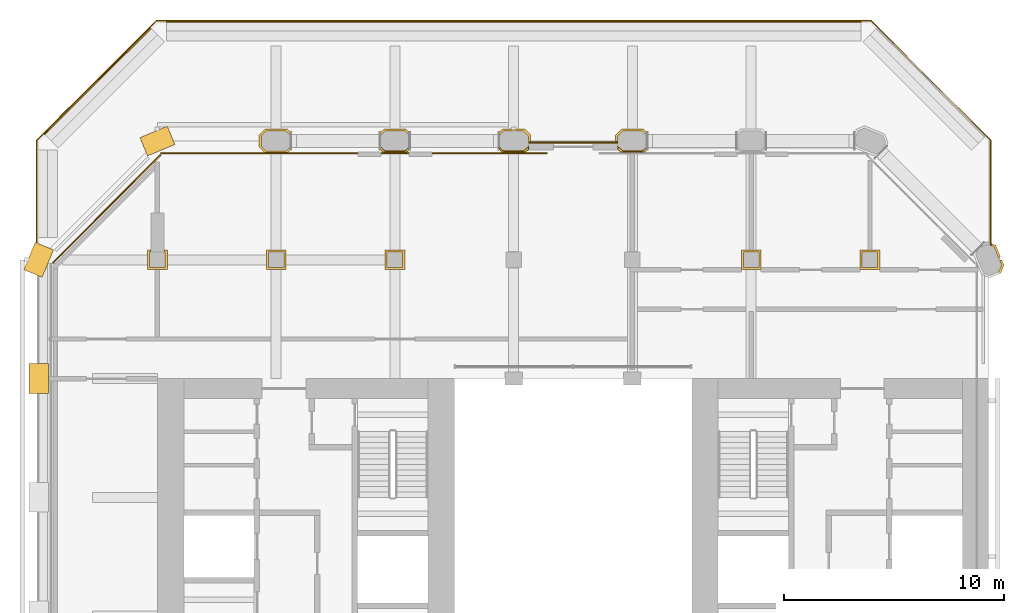
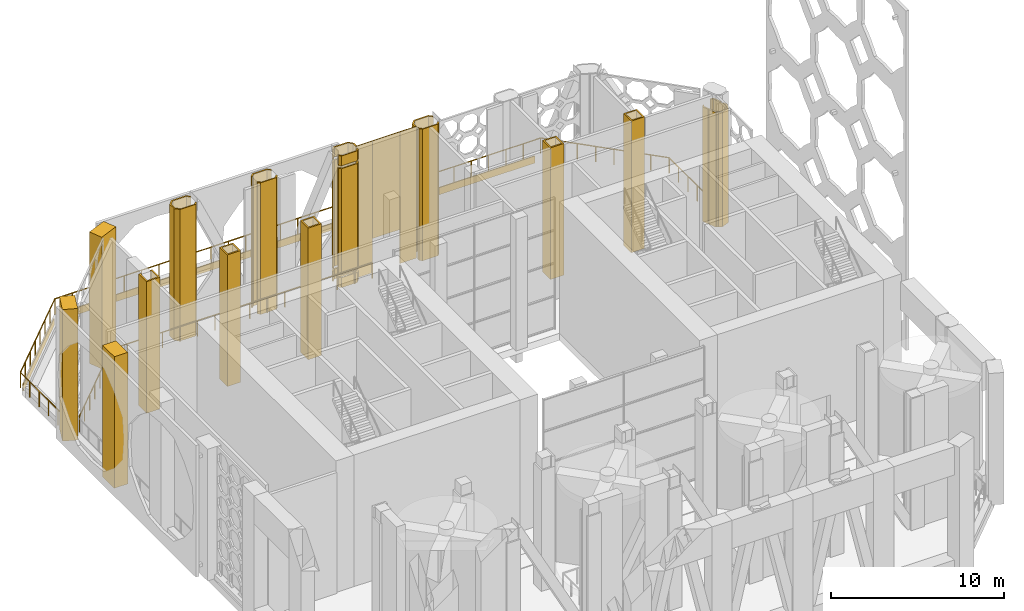
# One storey, part 26 of 28: 25 coverings, 3 railings.
"""IFC4 building model written with IfcOpenShell, lengths in metres."""

from ifc_helpers import new_model, si_unit, direction, frame, frame_2d, origin, origin_2d, place, context, subcontext, project, spatial, polyline, rectangle, circle, outline, extrude, material, layer, layer_set, type_object, element, save


model = new_model("IFC4")

# Units and contexts
model_context = context("Model", 3, precision=1e-05, world=origin(), true_north=direction((0.0, 1.0)))
body_context = subcontext(model_context, "Body", "Model", "MODEL_VIEW")
ifc_project = project(units=[si_unit("LENGTHUNIT", "METRE"), si_unit("AREAUNIT", "SQUARE_METRE"), si_unit("VOLUMEUNIT", "CUBIC_METRE"), si_unit("PLANEANGLEUNIT", "RADIAN"), si_unit("MASSUNIT", "GRAM", prefix="KILO")], contexts=[model_context])

# Site, building, storey
site_placement = place(None, origin())
site = spatial("IfcSite", under=ifc_project, at=site_placement, CompositionType="ELEMENT")
building_placement = place(site_placement, origin())
building = spatial("IfcBuilding", under=site, at=building_placement, Name="Tabaq Tower and Sports Hall", CompositionType="ELEMENT")
storey_placement = place(building_placement, frame((0.0, 0.0, 233.5)))
storey = spatial("IfcBuildingStorey", under=building, at=storey_placement, Name="L59", CompositionType="ELEMENT", Elevation=233.5)

# Coverings
ifc_material_1 = material(Name="Precast concrete C60/75", Category="concrete")
ifc_layer_1 = layer(ifc_material_1, 0.10009765625)
ifc_layer_set_1 = layer_set([ifc_layer_1], Name="Column cladding 100")
covering_type_1 = type_object("IfcCoveringType", Name="Column cladding 100", PredefinedType="CLADDING", material=ifc_layer_set_1)
covering_1_placement = place(storey_placement, origin())
element("IfcCovering", 1, at=covering_1_placement, inside=storey, type_object=covering_type_1, Name="Column cladding L59 CC-2H-S2", PredefinedType="CLADDING", context=body_context, shape_type="SweptSolid", body=[
    extrude(outline(polyline([(5.099609375, 38.249755859375), (5.099609375, 38.150390625), (5.0498046875, 38.150390625), (5.0498046875, 37.44970703125), (5.750244140625, 37.44970703125), (5.750244140625, 38.150390625), (5.7001953125, 38.150390625), (5.7001953125, 38.249755859375), (5.849609375, 38.249755859375), (5.849609375, 37.350341796875), (4.9501953125, 37.350341796875), (4.9501953125, 38.249755859375), (5.099609375, 38.249755859375)])), origin(), (0.0, 0.0, 1.0), 9.300048828125),
])
covering_2_placement = place(storey_placement, origin())
element("IfcCovering", 2, at=covering_2_placement, inside=storey, type_object=covering_type_1, Name="Column cladding L59 CC-3H-S2", PredefinedType="CLADDING", context=body_context, shape_type="SweptSolid", body=[
    extrude(outline(polyline([(10.350341796875, 38.249755859375), (11.249755859375, 38.249755859375), (11.249755859375, 37.350341796875), (10.350341796875, 37.350341796875), (10.350341796875, 38.249755859375)]), holes=[polyline([(11.150390625, 37.44970703125), (11.150390625, 38.150390625), (10.44970703125, 38.150390625), (10.44970703125, 37.44970703125), (11.150390625, 37.44970703125)])]), origin(), (0.0, 0.0, 1.0), 9.300048828125),
])
covering_3_placement = place(storey_placement, origin())
element("IfcCovering", 3, at=covering_3_placement, inside=storey, type_object=covering_type_1, Name="Column cladding L59 PC-3I-S2", PredefinedType="CLADDING", context=body_context, shape_type="SweptSolid", body=[
    extrude(outline(polyline([(10.025390625, 43.46630859375), (10.30859375, 43.749755859375), (11.291259765625, 43.749755859375), (11.459716796875, 43.581298828125), (11.459716796875, 43.500244140625), (11.444580078125, 43.500244140625), (11.444580078125, 43.455810546875), (11.250244140625, 43.650390625), (10.349853515625, 43.650390625), (10.124755859375, 43.425048828125), (10.124755859375, 42.974853515625), (10.349853515625, 42.749755859375), (11.250244140625, 42.749755859375), (11.444580078125, 42.9443359375), (11.444580078125, 42.899658203125), (11.459716796875, 42.899658203125), (11.459716796875, 42.818603515625), (11.331298828125, 42.690185546875), (10.268798828125, 42.690185546875), (10.025390625, 42.93359375), (10.025390625, 43.46630859375)])), origin(), (0.0, 0.0, 1.0), 9.300048828125),
])
covering_4_placement = place(storey_placement, origin())
element("IfcCovering", 4, at=covering_4_placement, inside=storey, type_object=covering_type_1, Name="Column cladding L59 CC-4H-S2", PredefinedType="CLADDING", context=body_context, shape_type="SweptSolid", body=[
    extrude(outline(polyline([(15.750244140625, 38.249755859375), (16.649658203125, 38.249755859375), (16.649658203125, 37.350341796875), (15.750244140625, 37.350341796875), (15.750244140625, 38.249755859375)]), holes=[polyline([(16.55029296875, 37.44970703125), (16.55029296875, 38.150390625), (15.849609375, 38.150390625), (15.849609375, 37.44970703125), (16.55029296875, 37.44970703125)])]), origin(), (0.0, 0.0, 1.0), 9.300048828125),
])
covering_5_placement = place(storey_placement, origin())
element("IfcCovering", 5, at=covering_5_placement, inside=storey, type_object=covering_type_1, Name="Column cladding L59 PC-4I-S2", PredefinedType="CLADDING", context=body_context, shape_type="SweptSolid", body=[
    extrude(outline(polyline([(15.708740234375, 43.749755859375), (16.69140625, 43.749755859375), (16.859619140625, 43.581298828125), (16.859619140625, 43.500244140625), (16.8447265625, 43.500244140625), (16.8447265625, 43.455810546875), (16.650146484375, 43.650390625), (15.749755859375, 43.650390625), (15.555419921875, 43.455810546875), (15.555419921875, 43.500244140625), (15.540283203125, 43.500244140625), (15.540283203125, 43.581298828125), (15.708740234375, 43.749755859375)])), origin(), (0.0, 0.0, 1.0), 9.300048828125),
])
covering_6_placement = place(storey_placement, origin())
element("IfcCovering", 6, at=covering_6_placement, inside=storey, type_object=covering_type_1, Name="Column cladding L59 PC-4I-S2 2", PredefinedType="CLADDING", context=body_context, shape_type="SweptSolid", body=[
    extrude(outline(polyline([(16.731201171875, 42.690185546875), (15.668701171875, 42.690185546875), (15.540283203125, 42.818603515625), (15.540283203125, 42.899658203125), (15.555419921875, 42.899658203125), (15.555419921875, 42.9443359375), (15.749755859375, 42.749755859375), (16.650146484375, 42.749755859375), (16.8447265625, 42.9443359375), (16.8447265625, 42.899658203125), (16.859619140625, 42.899658203125), (16.859619140625, 42.818603515625), (16.731201171875, 42.690185546875)])), origin(), (0.0, 0.0, 1.0), 9.300048828125),
])
covering_7_placement = place(storey_placement, origin())
element("IfcCovering", 7, at=covering_7_placement, inside=storey, type_object=covering_type_1, Name="Column cladding L59 PC-5I-S2", PredefinedType="CLADDING", context=body_context, shape_type="SweptSolid", body=[
    extrude(outline(polyline([(21.108642578125, 43.749755859375), (22.09130859375, 43.749755859375), (22.374755859375, 43.46630859375), (22.374755859375, 43.160400390625), (22.275390625, 43.160400390625), (22.275390625, 43.425048828125), (22.050048828125, 43.650390625), (21.14990234375, 43.650390625), (20.955322265625, 43.455810546875), (20.955322265625, 43.500244140625), (20.940185546875, 43.500244140625), (20.940185546875, 43.581298828125), (21.108642578125, 43.749755859375)])), origin(), (0.0, 0.0, 1.0), 0.699951171875),
])
covering_8_placement = place(storey_placement, origin())
element("IfcCovering", 8, at=covering_8_placement, inside=storey, type_object=covering_type_1, Name="Column cladding L59 PC-5I-S2 2", PredefinedType="CLADDING", context=body_context, shape_type="SweptSolid", body=[
    extrude(outline(polyline([(22.13134765625, 42.690185546875), (21.068603515625, 42.690185546875), (20.940185546875, 42.818603515625), (20.940185546875, 42.899658203125), (20.955322265625, 42.899658203125), (20.955322265625, 42.9443359375), (21.14990234375, 42.749755859375), (22.050048828125, 42.749755859375), (22.274658203125, 42.974365234375), (22.274658203125, 42.833740234375), (22.13134765625, 42.690185546875)])), origin(), (0.0, 0.0, 1.0), 0.699951171875),
])
covering_9_placement = place(storey_placement, frame((0.0, 0.0, 0.89990234375)))
element("IfcCovering", 9, at=covering_9_placement, inside=storey, type_object=covering_type_1, Name="Column cladding L59 PC-5I-S2 2", PredefinedType="CLADDING", context=body_context, shape_type="SweptSolid", body=[
    extrude(outline(polyline([(21.108642578125, 43.749755859375), (22.09130859375, 43.749755859375), (22.374755859375, 43.46630859375), (22.374755859375, 43.160400390625), (22.275390625, 43.160400390625), (22.275390625, 43.425048828125), (22.050048828125, 43.650390625), (21.14990234375, 43.650390625), (20.955322265625, 43.455810546875), (20.955322265625, 43.500244140625), (20.940185546875, 43.500244140625), (20.940185546875, 43.581298828125), (21.108642578125, 43.749755859375)])), origin(), (0.0, 0.0, 1.0), 7.5),
])
covering_10_placement = place(storey_placement, frame((0.0, 0.0, 0.89990234375)))
element("IfcCovering", 10, at=covering_10_placement, inside=storey, type_object=covering_type_1, Name="Column cladding L59 PC-5I-S2 2 2", PredefinedType="CLADDING", context=body_context, shape_type="SweptSolid", body=[
    extrude(outline(polyline([(22.13134765625, 42.690185546875), (21.068603515625, 42.690185546875), (20.940185546875, 42.818603515625), (20.940185546875, 42.899658203125), (20.955322265625, 42.899658203125), (20.955322265625, 42.9443359375), (21.14990234375, 42.749755859375), (22.050048828125, 42.749755859375), (22.274658203125, 42.974365234375), (22.274658203125, 42.833740234375), (22.13134765625, 42.690185546875)])), origin(), (0.0, 0.0, 1.0), 7.5),
])
covering_11_placement = place(storey_placement, frame((0.0, 0.0, 8.60009765625)))
element("IfcCovering", 11, at=covering_11_placement, inside=storey, type_object=covering_type_1, Name="Column cladding L59 PC-5I-S2 3", PredefinedType="CLADDING", context=body_context, shape_type="SweptSolid", body=[
    extrude(outline(polyline([(21.108642578125, 43.749755859375), (22.09130859375, 43.749755859375), (22.374755859375, 43.46630859375), (22.374755859375, 43.160400390625), (22.275390625, 43.160400390625), (22.275390625, 43.425048828125), (22.050048828125, 43.650390625), (21.14990234375, 43.650390625), (20.955322265625, 43.455810546875), (20.955322265625, 43.500244140625), (20.940185546875, 43.500244140625), (20.940185546875, 43.581298828125), (21.108642578125, 43.749755859375)])), origin(), (0.0, 0.0, 1.0), 0.699951171875),
])
covering_12_placement = place(storey_placement, frame((0.0, 0.0, 8.60009765625)))
element("IfcCovering", 12, at=covering_12_placement, inside=storey, type_object=covering_type_1, Name="Column cladding L59 PC-5I-S2 3 2", PredefinedType="CLADDING", context=body_context, shape_type="SweptSolid", body=[
    extrude(outline(polyline([(22.13134765625, 42.690185546875), (21.068603515625, 42.690185546875), (20.940185546875, 42.818603515625), (20.940185546875, 42.899658203125), (20.955322265625, 42.899658203125), (20.955322265625, 42.9443359375), (21.14990234375, 42.749755859375), (22.050048828125, 42.749755859375), (22.274658203125, 42.974365234375), (22.274658203125, 42.833740234375), (22.13134765625, 42.690185546875)])), origin(), (0.0, 0.0, 1.0), 0.699951171875),
])
covering_13_placement = place(storey_placement, origin())
element("IfcCovering", 13, at=covering_13_placement, inside=storey, type_object=covering_type_1, Name="Column cladding L59 PC-6I-S2", PredefinedType="CLADDING", context=body_context, shape_type="SweptSolid", body=[
    extrude(outline(polyline([(26.225341796875, 43.46630859375), (26.5087890625, 43.749755859375), (27.4912109375, 43.749755859375), (27.65966796875, 43.581298828125), (27.65966796875, 43.500244140625), (27.644775390625, 43.500244140625), (27.644775390625, 43.455810546875), (27.4501953125, 43.650390625), (26.5498046875, 43.650390625), (26.32470703125, 43.425048828125), (26.32470703125, 43.160400390625), (26.225341796875, 43.160400390625), (26.225341796875, 43.46630859375)])), origin(), (0.0, 0.0, 1.0), 9.300048828125),
])
covering_14_placement = place(storey_placement, origin())
element("IfcCovering", 14, at=covering_14_placement, inside=storey, type_object=covering_type_1, Name="Column cladding L59 PC-6I-S2 2", PredefinedType="CLADDING", context=body_context, shape_type="SweptSolid", body=[
    extrude(outline(polyline([(27.53125, 42.690185546875), (26.46875, 42.690185546875), (26.3251953125, 42.833740234375), (26.3251953125, 42.974365234375), (26.5498046875, 42.749755859375), (27.4501953125, 42.749755859375), (27.644775390625, 42.9443359375), (27.644775390625, 42.899658203125), (27.65966796875, 42.899658203125), (27.65966796875, 42.818603515625), (27.53125, 42.690185546875)])), origin(), (0.0, 0.0, 1.0), 9.300048828125),
])
covering_15_placement = place(storey_placement, origin())
element("IfcCovering", 15, at=covering_15_placement, inside=storey, type_object=covering_type_1, Name="Column cladding L59 CC-7H-S2", PredefinedType="CLADDING", context=body_context, shape_type="SweptSolid", body=[
    extrude(outline(polyline([(31.9501953125, 38.249755859375), (32.849609375, 38.249755859375), (32.849609375, 37.350341796875), (31.9501953125, 37.350341796875), (31.9501953125, 38.249755859375)]), holes=[polyline([(32.750244140625, 37.44970703125), (32.750244140625, 38.150390625), (32.0498046875, 38.150390625), (32.0498046875, 37.44970703125), (32.750244140625, 37.44970703125)])]), origin(), (0.0, 0.0, 1.0), 9.300048828125),
])
covering_16_placement = place(storey_placement, origin())
element("IfcCovering", 16, at=covering_16_placement, inside=storey, type_object=covering_type_1, Name="Column cladding L59 CC-8H-S2", PredefinedType="CLADDING", context=body_context, shape_type="SweptSolid", body=[
    extrude(outline(polyline([(37.350341796875, 38.249755859375), (38.249755859375, 38.249755859375), (38.249755859375, 37.350341796875), (37.350341796875, 37.350341796875), (37.350341796875, 38.249755859375)]), holes=[polyline([(38.150390625, 37.44970703125), (38.150390625, 38.150390625), (37.44970703125, 38.150390625), (37.44970703125, 37.44970703125), (38.150390625, 37.44970703125)])]), origin(), (0.0, 0.0, 1.0), 9.300048828125),
])
covering_17_placement = place(storey_placement, origin())
element("IfcCovering", 17, at=covering_17_placement, inside=storey, type_object=covering_type_1, Name="Column cladding L59 PC-9H-S2", PredefinedType="CLADDING", context=body_context, shape_type="SweptSolid", body=[
    extrude(outline(polyline([(43.25048828125, 36.982421875), (43.01025390625, 37.081787109375), (43.01025390625, 37.125244140625), (42.9052734375, 37.125244140625), (42.880126953125, 37.1357421875), (42.690185546875, 37.593994140625), (42.690185546875, 37.63427734375), (42.690185546875, 37.63818359375), (42.689453125, 37.64208984375), (42.6884765625, 37.64599609375), (42.687255859375, 37.649658203125), (42.685546875, 37.6533203125), (42.68359375, 37.65673828125), (42.68115234375, 37.659912109375), (42.678466796875, 37.662841796875), (42.675537109375, 37.66552734375), (42.67236328125, 37.667724609375), (42.6689453125, 37.669921875), (42.66552734375, 37.671630859375), (42.66162109375, 37.6728515625), (42.657958984375, 37.673828125), (42.6572265625, 37.673828125), (42.504150390625, 38.04345703125), (42.519287109375, 38.080078125), (42.702880859375, 38.263671875), (42.61181640625, 38.04345703125), (42.956298828125, 37.2119140625), (43.25048828125, 37.08984375), (43.66650390625, 37.26220703125), (43.788330078125, 37.556396484375), (43.44384765625, 38.38818359375), (43.3203125, 38.439208984375), (43.3203125, 38.546875), (43.519775390625, 38.46435546875), (43.73193359375, 37.9521484375), (43.69677734375, 37.9501953125), (43.696533203125, 37.9501953125), (43.696533203125, 37.7998046875), (43.795166015625, 37.7998046875), (43.895751953125, 37.556396484375), (43.742431640625, 37.186279296875), (43.25048828125, 36.982421875)])), origin(), (0.0, 0.0, 1.0), 8.10009765625),
])
ifc_material_2 = material(Name="Precast concrete C60/75", Category="concrete")
ifc_layer_2 = layer(ifc_material_2, 0.06005859375)
ifc_layer_set_2 = layer_set([ifc_layer_2], Name="Edge beam cladding 60")
covering_type_2 = type_object("IfcCoveringType", Name="Edge beam cladding 60", PredefinedType="CLADDING", material=ifc_layer_set_2)
covering_18_placement = place(storey_placement, frame((37.39794921875, 48.6298828125, -0.5), z_axis=(0.0, 0.0, 1.0), x_axis=(-1.0, 0.0, 0.0)))
element("IfcCovering", 18, at=covering_18_placement, inside=storey, type_object=covering_type_2, Name="Edge beam cladding L59 6", PredefinedType="CLADDING", context=body_context, shape_type="SweptSolid", body=[
    extrude(rectangle(XDim=31.595947265625, YDim=0.06005859375, at=frame_2d((15.7978515625, 0.0))), origin(), (0.0, 0.0, 1.0), 0.5),
])
covering_19_placement = place(storey_placement, frame((5.094482421875, 48.3369140625, -0.5), z_axis=(0.0, 0.0, 1.0), x_axis=(-0.707106781187, -0.707106781187, 0.0)))
element("IfcCovering", 19, at=covering_19_placement, inside=storey, type_object=covering_type_2, Name="Edge beam cladding L59 7", PredefinedType="CLADDING", context=body_context, shape_type="SweptSolid", body=[
    extrude(rectangle(XDim=6.83251953125, YDim=0.06005859375, at=frame_2d((3.416259765625, 0.0))), origin(), (0.0, 0.0, 1.0), 0.5),
])

# Railings
ifc_material_3 = material(Name="Stainless steel S316 and laminated glass", Category="steel")
railing_type = type_object("IfcRailingType", Name="Guard 1100 steel and glass", PredefinedType="GUARDRAIL", material=ifc_material_3)
railing_1_placement = place(storey_placement, frame((23.10009765625, 42.64990234375, 0.0)))
element("IfcRailing", 20, at=railing_1_placement, inside=storey, type_object=railing_type, Name="Guard L59 N", PredefinedType="GUARDRAIL", context=body_context, shape_type="SweptSolid", body=[
    extrude(circle(Radius=0.02490234375, at=origin_2d()), frame((0.0, 0.0, 1.0751953125), z_axis=(-1.0, 0.0, 0.0), x_axis=(0.0, -1.0, 0.0)), (0.0, 0.0, 1.0), 17.534423828125),
    extrude(circle(Radius=0.02001953125, at=origin_2d()), origin(), (0.0, 0.0, 1.0), 1.050048828125),
    extrude(circle(Radius=0.02001953125, at=origin_2d()), frame((-1.1689453125, 0.0, 0.0)), (0.0, 0.0, 1.0), 1.050048828125),
    extrude(circle(Radius=0.02001953125, at=origin_2d()), frame((-2.337890625, 0.0, 0.0)), (0.0, 0.0, 1.0), 1.050048828125),
    extrude(circle(Radius=0.02001953125, at=origin_2d()), frame((-3.5068359375, 0.0, 0.0)), (0.0, 0.0, 1.0), 1.050048828125),
    extrude(circle(Radius=0.02001953125, at=origin_2d()), frame((-4.67578125, 0.0, 0.0)), (0.0, 0.0, 1.0), 1.050048828125),
    extrude(circle(Radius=0.02001953125, at=origin_2d()), frame((-5.8447265625, 0.0, 0.0)), (0.0, 0.0, 1.0), 1.050048828125),
    extrude(circle(Radius=0.02001953125, at=origin_2d()), frame((-7.013671875, 0.0, 0.0)), (0.0, 0.0, 1.0), 1.050048828125),
    extrude(circle(Radius=0.02001953125, at=origin_2d()), frame((-8.1826171875, 0.0, 0.0)), (0.0, 0.0, 1.0), 1.050048828125),
    extrude(circle(Radius=0.02001953125, at=origin_2d()), frame((-9.351806640625, 0.0, 0.0)), (0.0, 0.0, 1.0), 1.050048828125),
    extrude(circle(Radius=0.02001953125, at=origin_2d()), frame((-10.520751953125, 0.0, 0.0)), (0.0, 0.0, 1.0), 1.050048828125),
    extrude(circle(Radius=0.02001953125, at=origin_2d()), frame((-11.689697265625, 0.0, 0.0)), (0.0, 0.0, 1.0), 1.050048828125),
    extrude(circle(Radius=0.02001953125, at=origin_2d()), frame((-12.858642578125, 0.0, 0.0)), (0.0, 0.0, 1.0), 1.050048828125),
    extrude(circle(Radius=0.02001953125, at=origin_2d()), frame((-14.027587890625, 0.0, 0.0)), (0.0, 0.0, 1.0), 1.050048828125),
    extrude(circle(Radius=0.02001953125, at=origin_2d()), frame((-15.196533203125, 0.0, 0.0)), (0.0, 0.0, 1.0), 1.050048828125),
    extrude(circle(Radius=0.02001953125, at=origin_2d()), frame((-16.365478515625, 0.0, 0.0)), (0.0, 0.0, 1.0), 1.050048828125),
    extrude(circle(Radius=0.02001953125, at=origin_2d()), frame((-17.534423828125, 0.0, 0.0)), (0.0, 0.0, 1.0), 1.050048828125),
])
railing_2_placement = place(storey_placement, frame((5.52880859375, 42.551025390625, 0.0)))
element("IfcRailing", 21, at=railing_2_placement, inside=storey, type_object=railing_type, Name="Guard L59 NW", PredefinedType="GUARDRAIL", context=body_context, shape_type="SweptSolid", body=[
    extrude(circle(Radius=0.02490234375, at=origin_2d()), frame((0.0, 0.0, 1.0751953125), z_axis=(-0.707106781187, -0.707106781187, 0.0), x_axis=(0.707106781187, -0.707106781187, 0.0)), (0.0, 0.0, 1.0), 6.901123046875),
    extrude(circle(Radius=0.02001953125, at=origin_2d()), origin(), (0.0, 0.0, 1.0), 1.050048828125),
    extrude(circle(Radius=0.02001953125, at=origin_2d()), frame((-0.813232421875, -0.813232421875, 0.0)), (0.0, 0.0, 1.0), 1.050048828125),
    extrude(circle(Radius=0.02001953125, at=origin_2d()), frame((-1.626708984375, -1.626708984375, 0.0)), (0.0, 0.0, 1.0), 1.050048828125),
    extrude(circle(Radius=0.02001953125, at=origin_2d()), frame((-2.43994140625, -2.43994140625, 0.0)), (0.0, 0.0, 1.0), 1.050048828125),
    extrude(circle(Radius=0.02001953125, at=origin_2d()), frame((-3.253173828125, -3.253173828125, 0.0)), (0.0, 0.0, 1.0), 1.050048828125),
    extrude(circle(Radius=0.02001953125, at=origin_2d()), frame((-4.066650390625, -4.066650390625, 0.0)), (0.0, 0.0, 1.0), 1.050048828125),
    extrude(circle(Radius=0.02001953125, at=origin_2d()), frame((-4.8798828125, -4.8798828125, 0.0)), (0.0, 0.0, 1.0), 1.050048828125),
])
railing_3_placement = place(storey_placement, frame((-0.080078125, 37.800048828125, 0.0)))
element("IfcRailing", 22, at=railing_3_placement, inside=storey, type_object=railing_type, Name="Terrace guard L59", PredefinedType="GUARDRAIL", context=body_context, shape_type="SweptSolid", body=[
    extrude(circle(Radius=0.02490234375, at=origin_2d()), frame((0.0, 0.0, 1.0751953125), z_axis=(0.0, 1.0, 0.0), x_axis=(-1.0, 0.0, 0.0)), (0.0, 0.0, 1.0), 5.43310546875),
    extrude(circle(Radius=0.02490234375, at=origin_2d()), frame((0.0, 5.43310546875, 1.0751953125), z_axis=(0.70712262796, 0.707090934058, 0.0), x_axis=(-0.707090934058, 0.70712262796, 0.0)), (0.0, 0.0, 1.0), 7.703125),
    extrude(circle(Radius=0.02490234375, at=origin_2d()), frame((5.447021484375, 10.8798828125, 1.0751953125), z_axis=(1.0, 0.0, 0.0), x_axis=(0.0, 1.0, 0.0)), (0.0, 0.0, 1.0), 32.46630859375),
    extrude(circle(Radius=0.02490234375, at=origin_2d()), frame((37.913330078125, 10.8798828125, 1.0751953125), z_axis=(0.707106781187, -0.707106781187, 0.0), x_axis=(0.707106781187, 0.707106781187, 0.0)), (0.0, 0.0, 1.0), 7.702880859375),
    extrude(circle(Radius=0.02490234375, at=origin_2d()), frame((43.360107421875, 5.43310546875, 1.0751953125), z_axis=(0.0, -1.0, 0.0), x_axis=(1.0, 0.0, 0.0)), (0.0, 0.0, 1.0), 5.43310546875),
    extrude(circle(Radius=0.02001953125, at=origin_2d()), origin(), (0.0, 0.0, 1.0), 1.050048828125),
    extrude(circle(Radius=0.02001953125, at=origin_2d()), frame((0.0, 1.086669921875, 0.0)), (0.0, 0.0, 1.0), 1.050048828125),
    extrude(circle(Radius=0.02001953125, at=origin_2d()), frame((0.0, 2.17333984375, 0.0)), (0.0, 0.0, 1.0), 1.050048828125),
    extrude(circle(Radius=0.02001953125, at=origin_2d()), frame((0.0, 3.259765625, 0.0)), (0.0, 0.0, 1.0), 1.050048828125),
    extrude(circle(Radius=0.02001953125, at=origin_2d()), frame((0.0, 4.346435546875, 0.0)), (0.0, 0.0, 1.0), 1.050048828125),
    extrude(circle(Radius=0.02001953125, at=origin_2d()), frame((0.0, 5.43310546875, 0.0)), (0.0, 0.0, 1.0), 1.050048828125),
    extrude(circle(Radius=0.02001953125, at=origin_2d()), frame((0.778076171875, 6.211181640625, 0.0)), (0.0, 0.0, 1.0), 1.050048828125),
    extrude(circle(Radius=0.02001953125, at=origin_2d()), frame((1.556396484375, 6.9892578125, 0.0)), (0.0, 0.0, 1.0), 1.050048828125),
    extrude(circle(Radius=0.02001953125, at=origin_2d()), frame((2.33447265625, 7.767333984375, 0.0)), (0.0, 0.0, 1.0), 1.050048828125),
    extrude(circle(Radius=0.02001953125, at=origin_2d()), frame((3.112548828125, 8.545654296875, 0.0)), (0.0, 0.0, 1.0), 1.050048828125),
    extrude(circle(Radius=0.02001953125, at=origin_2d()), frame((3.890625, 9.32373046875, 0.0)), (0.0, 0.0, 1.0), 1.050048828125),
    extrude(circle(Radius=0.02001953125, at=origin_2d()), frame((4.6689453125, 10.101806640625, 0.0)), (0.0, 0.0, 1.0), 1.050048828125),
    extrude(circle(Radius=0.02001953125, at=origin_2d()), frame((5.447021484375, 10.8798828125, 0.0)), (0.0, 0.0, 1.0), 1.050048828125),
    extrude(circle(Radius=0.02001953125, at=origin_2d()), frame((6.6064453125, 10.8798828125, 0.0)), (0.0, 0.0, 1.0), 1.050048828125),
    extrude(circle(Radius=0.02001953125, at=origin_2d()), frame((7.76611328125, 10.8798828125, 0.0)), (0.0, 0.0, 1.0), 1.050048828125),
    extrude(circle(Radius=0.02001953125, at=origin_2d()), frame((8.925537109375, 10.8798828125, 0.0)), (0.0, 0.0, 1.0), 1.050048828125),
    extrude(circle(Radius=0.02001953125, at=origin_2d()), frame((10.0849609375, 10.8798828125, 0.0)), (0.0, 0.0, 1.0), 1.050048828125),
    extrude(circle(Radius=0.02001953125, at=origin_2d()), frame((11.24462890625, 10.8798828125, 0.0)), (0.0, 0.0, 1.0), 1.050048828125),
    extrude(circle(Radius=0.02001953125, at=origin_2d()), frame((12.404052734375, 10.8798828125, 0.0)), (0.0, 0.0, 1.0), 1.050048828125),
    extrude(circle(Radius=0.02001953125, at=origin_2d()), frame((13.5634765625, 10.8798828125, 0.0)), (0.0, 0.0, 1.0), 1.050048828125),
    extrude(circle(Radius=0.02001953125, at=origin_2d()), frame((14.72314453125, 10.8798828125, 0.0)), (0.0, 0.0, 1.0), 1.050048828125),
    extrude(circle(Radius=0.02001953125, at=origin_2d()), frame((15.882568359375, 10.8798828125, 0.0)), (0.0, 0.0, 1.0), 1.050048828125),
    extrude(circle(Radius=0.02001953125, at=origin_2d()), frame((17.042236328125, 10.8798828125, 0.0)), (0.0, 0.0, 1.0), 1.050048828125),
    extrude(circle(Radius=0.02001953125, at=origin_2d()), frame((18.20166015625, 10.8798828125, 0.0)), (0.0, 0.0, 1.0), 1.050048828125),
    extrude(circle(Radius=0.02001953125, at=origin_2d()), frame((19.361083984375, 10.8798828125, 0.0)), (0.0, 0.0, 1.0), 1.050048828125),
    extrude(circle(Radius=0.02001953125, at=origin_2d()), frame((20.520751953125, 10.8798828125, 0.0)), (0.0, 0.0, 1.0), 1.050048828125),
    extrude(circle(Radius=0.02001953125, at=origin_2d()), frame((21.68017578125, 10.8798828125, 0.0)), (0.0, 0.0, 1.0), 1.050048828125),
    extrude(circle(Radius=0.02001953125, at=origin_2d()), frame((22.839599609375, 10.8798828125, 0.0)), (0.0, 0.0, 1.0), 1.050048828125),
    extrude(circle(Radius=0.02001953125, at=origin_2d()), frame((23.999267578125, 10.8798828125, 0.0)), (0.0, 0.0, 1.0), 1.050048828125),
    extrude(circle(Radius=0.02001953125, at=origin_2d()), frame((25.15869140625, 10.8798828125, 0.0)), (0.0, 0.0, 1.0), 1.050048828125),
    extrude(circle(Radius=0.02001953125, at=origin_2d()), frame((26.318115234375, 10.8798828125, 0.0)), (0.0, 0.0, 1.0), 1.050048828125),
    extrude(circle(Radius=0.02001953125, at=origin_2d()), frame((27.477783203125, 10.8798828125, 0.0)), (0.0, 0.0, 1.0), 1.050048828125),
    extrude(circle(Radius=0.02001953125, at=origin_2d()), frame((28.63720703125, 10.8798828125, 0.0)), (0.0, 0.0, 1.0), 1.050048828125),
    extrude(circle(Radius=0.02001953125, at=origin_2d()), frame((29.796875, 10.8798828125, 0.0)), (0.0, 0.0, 1.0), 1.050048828125),
    extrude(circle(Radius=0.02001953125, at=origin_2d()), frame((30.956298828125, 10.8798828125, 0.0)), (0.0, 0.0, 1.0), 1.050048828125),
    extrude(circle(Radius=0.02001953125, at=origin_2d()), frame((32.11572265625, 10.8798828125, 0.0)), (0.0, 0.0, 1.0), 1.050048828125),
    extrude(circle(Radius=0.02001953125, at=origin_2d()), frame((33.275390625, 10.8798828125, 0.0)), (0.0, 0.0, 1.0), 1.050048828125),
    extrude(circle(Radius=0.02001953125, at=origin_2d()), frame((34.434814453125, 10.8798828125, 0.0)), (0.0, 0.0, 1.0), 1.050048828125),
    extrude(circle(Radius=0.02001953125, at=origin_2d()), frame((35.59423828125, 10.8798828125, 0.0)), (0.0, 0.0, 1.0), 1.050048828125),
    extrude(circle(Radius=0.02001953125, at=origin_2d()), frame((36.75390625, 10.8798828125, 0.0)), (0.0, 0.0, 1.0), 1.050048828125),
    extrude(circle(Radius=0.02001953125, at=origin_2d()), frame((37.913330078125, 10.8798828125, 0.0)), (0.0, 0.0, 1.0), 1.050048828125),
    extrude(circle(Radius=0.02001953125, at=origin_2d()), frame((38.69140625, 10.101806640625, 0.0)), (0.0, 0.0, 1.0), 1.050048828125),
    extrude(circle(Radius=0.02001953125, at=origin_2d()), frame((39.469482421875, 9.32373046875, 0.0)), (0.0, 0.0, 1.0), 1.050048828125),
    extrude(circle(Radius=0.02001953125, at=origin_2d()), frame((40.24755859375, 8.545654296875, 0.0)), (0.0, 0.0, 1.0), 1.050048828125),
    extrude(circle(Radius=0.02001953125, at=origin_2d()), frame((41.02587890625, 7.767333984375, 0.0)), (0.0, 0.0, 1.0), 1.050048828125),
    extrude(circle(Radius=0.02001953125, at=origin_2d()), frame((41.803955078125, 6.9892578125, 0.0)), (0.0, 0.0, 1.0), 1.050048828125),
    extrude(circle(Radius=0.02001953125, at=origin_2d()), frame((42.58203125, 6.211181640625, 0.0)), (0.0, 0.0, 1.0), 1.050048828125),
    extrude(circle(Radius=0.02001953125, at=origin_2d()), frame((43.360107421875, 5.43310546875, 0.0)), (0.0, 0.0, 1.0), 1.050048828125),
    extrude(circle(Radius=0.02001953125, at=origin_2d()), frame((43.360107421875, 4.346435546875, 0.0)), (0.0, 0.0, 1.0), 1.050048828125),
    extrude(circle(Radius=0.02001953125, at=origin_2d()), frame((43.360107421875, 3.259765625, 0.0)), (0.0, 0.0, 1.0), 1.050048828125),
    extrude(circle(Radius=0.02001953125, at=origin_2d()), frame((43.360107421875, 2.17333984375, 0.0)), (0.0, 0.0, 1.0), 1.050048828125),
    extrude(circle(Radius=0.02001953125, at=origin_2d()), frame((43.360107421875, 1.086669921875, 0.0)), (0.0, 0.0, 1.0), 1.050048828125),
    extrude(circle(Radius=0.02001953125, at=origin_2d()), frame((43.360107421875, 0.0, 0.0)), (0.0, 0.0, 1.0), 1.050048828125),
])

# Coverings
ifc_material_4 = material(Name="White precast concrete C60/75", Category="concrete")
covering_type_3 = type_object("IfcCoveringType", Name="Pier cladding hung 1350x900", PredefinedType="CLADDING", material=ifc_material_4)
covering_20_placement = place(storey_placement, frame((0.0, 33.074951171875, 0.0), z_axis=(0.0, 0.0, 1.0), x_axis=(0.0, -1.0, 0.0)))
element("IfcCovering", 23, at=covering_20_placement, inside=storey, type_object=covering_type_3, Name="Hung pier cladding 0/6", PredefinedType="CLADDING", context=body_context, shape_type="SweptSolid", body=[
    extrude(rectangle(XDim=1.349853515625, YDim=0.89990234375, at=frame_2d((0.6748046875, 0.0))), origin(), (0.0, 0.0, 1.0), 9.300048828125),
])
for number, where, z_axis, x_axis, name in (
    (24, (0.25830078125, 38.423583984375, 0.0), (0.0, 0.0, 1.0), (-0.382649923473, -0.923893411637, 0.0), "Hung pier cladding 0/7"),
    (25, (6.023681640625, 43.458251953125, 0.0), (0.0, 0.0, 1.0), (-0.923893411637, -0.382649923473, 0.0), "Hung pier cladding 1/8"),
):
    element("IfcCovering", number, at=place(storey_placement, frame(where, z_axis=z_axis, x_axis=x_axis)), inside=storey, type_object=covering_type_3, Name=name, PredefinedType="CLADDING", context=body_context, shape_type="SweptSolid", body=[
        extrude(rectangle(XDim=1.35009765625, YDim=0.89990234375, at=frame_2d((0.675048828125, 0.0))), origin(), (0.0, 0.0, 1.0), 9.300048828125),
    ])
ifc_material_5 = material(Name="Precast concrete C60/75", Category="concrete")
ifc_layer_3 = layer(ifc_material_5, 0.06005859375)
ifc_layer_set_3 = layer_set([ifc_layer_3], Name="White precast cladding panel 60 C60/75")
covering_type_4 = type_object("IfcCoveringType", Name="White precast cladding panel 60 C60/75", PredefinedType="CLADDING", material=ifc_layer_set_3)
covering_21_placement = place(storey_placement, frame((26.324951171875, 43.1298828125, 0.0), z_axis=(0.0, 0.0, 1.0), x_axis=(-1.0, 0.0, 0.0)))
element("IfcCovering", 26, at=covering_21_placement, inside=storey, type_object=covering_type_4, Name="White precast cladding panel L59 infill-N2", PredefinedType="CLADDING", context=body_context, shape_type="SweptSolid", body=[
    extrude(rectangle(XDim=1.114990234375, YDim=0.06005859375, at=frame_2d((0.5576171875, 0.0))), origin(), (0.0, 0.0, 1.0), 9.300048828125),
])
covering_22_placement = place(storey_placement, frame((25.2099609375, 43.1298828125, 2.409912109375), z_axis=(0.0, 0.0, 1.0), x_axis=(-1.0, 0.0, 0.0)))
element("IfcCovering", 27, at=covering_22_placement, inside=storey, type_object=covering_type_4, Name="White precast cladding panel L59 infill-N2 2", PredefinedType="CLADDING", context=body_context, shape_type="SweptSolid", body=[
    extrude(rectangle(XDim=1.820068359375, YDim=0.06005859375, at=frame_2d((0.91015625, 0.0))), origin(), (0.0, 0.0, 1.0), 6.89013671875),
])
covering_23_placement = place(storey_placement, frame((23.389892578125, 43.1298828125, 0.0), z_axis=(0.0, 0.0, 1.0), x_axis=(-1.0, 0.0, 0.0)))
element("IfcCovering", 28, at=covering_23_placement, inside=storey, type_object=covering_type_4, Name="White precast cladding panel L59 infill-N2 3", PredefinedType="CLADDING", context=body_context, shape_type="SweptSolid", body=[
    extrude(rectangle(XDim=1.114990234375, YDim=0.06005859375, at=frame_2d((0.5576171875, 0.0))), origin(), (0.0, 0.0, 1.0), 9.300048828125),
])

save(model, "model.ifc")
